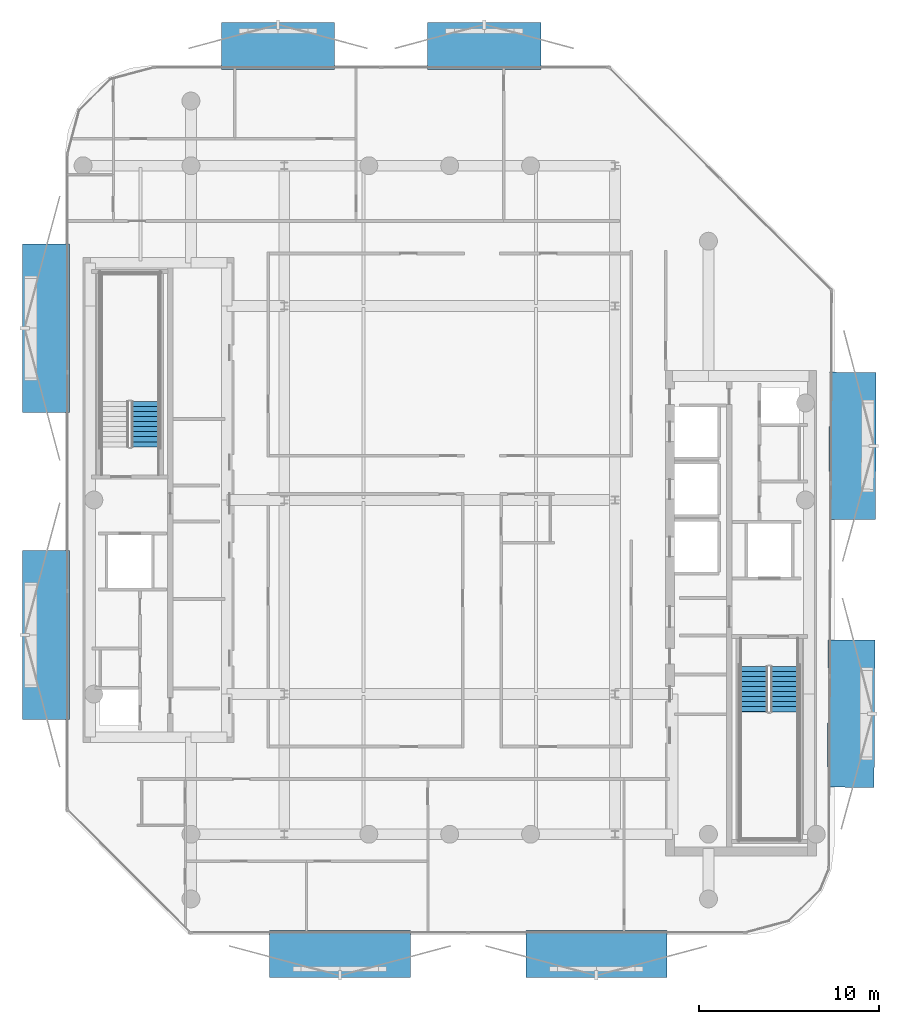
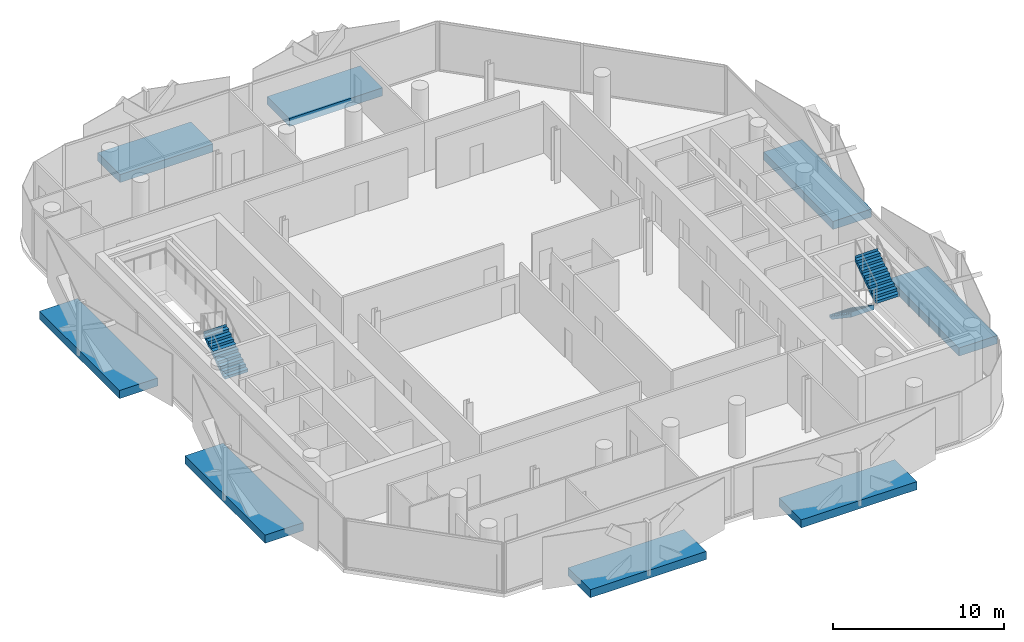
# One storey, part 8 of 16: 8 discrete accessories, 3 stair flights, 2 elements without a shape of their own.
"""IFC4 building model written with IfcOpenShell, lengths in metres."""

from ifc_helpers import new_model, si_unit, direction, frame, origin, origin_2d, place, context, subcontext, project, spatial, polyline, rectangle, outline, extrude, material, layer, layer_set, type_object, element, aggregate, save


model = new_model("IFC4")

# Units and contexts
model_context = context("Model", 3, precision=1e-05, world=origin(), true_north=direction((0.0, 1.0)))
body_context = subcontext(model_context, "Body", "Model", "MODEL_VIEW")
ifc_project = project(units=[si_unit("LENGTHUNIT", "METRE"), si_unit("AREAUNIT", "SQUARE_METRE"), si_unit("VOLUMEUNIT", "CUBIC_METRE"), si_unit("PLANEANGLEUNIT", "RADIAN"), si_unit("MASSUNIT", "GRAM", prefix="KILO")], contexts=[model_context])

# Site, building, storey
site_placement = place(None, origin())
site = spatial("IfcSite", under=ifc_project, at=site_placement, CompositionType="ELEMENT")
building_placement = place(site_placement, origin())
building = spatial("IfcBuilding", under=site, at=building_placement, Name="Khairoan Windgate Tower", CompositionType="ELEMENT")
storey_placement = place(building_placement, frame((0.0, 0.0, 292.800048828125)))
storey = spatial("IfcBuildingStorey", under=building, at=storey_placement, Name="L70", CompositionType="ELEMENT", Elevation=292.800048828125)

# Stair, stair flights
ifc_material_1 = material(Name="Concrete C40/50", Category="concrete")
stair_type = type_object("IfcStairType", Name="Tower Core Dog-Leg Stair ST-T1 1560mm", PredefinedType="HALF_TURN_STAIR", material=ifc_material_1)
stair_1_placement = place(storey_placement, origin())
stair_1 = element("IfcStair", 1, at=stair_1_placement, inside=storey, type_object=stair_type, Name="L70 Stair ST1", PredefinedType="HALF_TURN_STAIR")
ifc_material_2 = material(Name="Concrete C40/50", Category="concrete")
ifc_layer = layer(ifc_material_2, 0.14990234375, Name="Concrete C40/50")
ifc_layer_set = layer_set([ifc_layer], Name="Concrete C40/50")
stair_flight_type = type_object("IfcStairFlightType", Name="Tower Core Stair Flight STF-1560", PredefinedType="STRAIGHT", material=ifc_layer_set)
stair_flight_1_placement = place(storey_placement, frame((16.929931640625, -9.260009765625, 0.0), z_axis=(0.0, 0.0, 1.0), x_axis=(0.0, -1.0, 0.0)))
stair_flight_1 = element("IfcStairFlight", 2, at=stair_flight_1_placement, type_object=stair_flight_type, Name="ST1 flight 1", NumberOfRisers=10, NumberOfTreads=9, PredefinedType="STRAIGHT", RiserHeight=0.19, TreadLength=0.28, context=body_context, shape_type="SweptSolid", body=[
    extrude(outline(polyline([(-0.00390625, 0.0), (-0.00390625, 0.18994140625), (0.0, 0.18994140625), (0.280029296875, 0.18994140625), (0.280029296875, 0.3798828125), (0.56005859375, 0.3798828125), (0.56005859375, 0.570068359375), (0.840087890625, 0.570068359375), (0.840087890625, 0.760009765625), (1.1201171875, 0.760009765625), (1.1201171875, 0.949951171875), (1.39990234375, 0.949951171875), (1.39990234375, 1.139892578125), (1.679931640625, 1.139892578125), (1.679931640625, 1.330078125), (1.9599609375, 1.330078125), (1.9599609375, 1.52001953125), (2.239990234375, 1.52001953125), (2.239990234375, 1.7099609375), (2.52001953125, 1.7099609375), (2.52001953125, 1.89990234375), (2.52392578125, 1.89990234375), (2.52392578125, 1.52880859375), (0.266845703125, 0.0), (-0.00390625, 0.0)])), frame((0.0, 0.780029296875, 0.0), z_axis=(0.0, -1.0, 0.0), x_axis=(1.0, 0.0, 0.0)), (0.0, 0.0, 1.0), 1.56005859375),
])
stair_flight_2_placement = place(storey_placement, frame((18.639892578125, -11.780029296875, 1.89990234375), z_axis=(0.0, 0.0, 1.0), x_axis=(0.0, 1.0, 0.0)))
stair_flight_2 = element("IfcStairFlight", 3, at=stair_flight_2_placement, type_object=stair_flight_type, Name="ST1 flight 2", NumberOfRisers=10, NumberOfTreads=9, PredefinedType="STRAIGHT", RiserHeight=0.19, TreadLength=0.28, context=body_context, shape_type="SweptSolid", body=[
    extrude(outline(polyline([(-0.00390625, 0.0), (-0.00390625, 0.18994140625), (0.0, 0.18994140625), (0.280029296875, 0.18994140625), (0.280029296875, 0.3798828125), (0.56005859375, 0.3798828125), (0.56005859375, 0.570068359375), (0.840087890625, 0.570068359375), (0.840087890625, 0.760009765625), (1.1201171875, 0.760009765625), (1.1201171875, 0.949951171875), (1.39990234375, 0.949951171875), (1.39990234375, 1.139892578125), (1.679931640625, 1.139892578125), (1.679931640625, 1.330078125), (1.9599609375, 1.330078125), (1.9599609375, 1.52001953125), (2.239990234375, 1.52001953125), (2.239990234375, 1.7099609375), (2.52001953125, 1.7099609375), (2.52001953125, 1.89990234375), (2.52392578125, 1.89990234375), (2.52392578125, 1.52880859375), (0.266845703125, 0.0), (-0.00390625, 0.0)])), frame((0.0, 0.780029296875, 0.0), z_axis=(0.0, -1.0, 0.0), x_axis=(1.0, 0.0, 0.0)), (0.0, 0.0, 1.0), 1.56005859375),
])
aggregate(stair_1, [stair_flight_1, stair_flight_2])

# Stair, stair flight
stair_2_placement = place(storey_placement, origin())
stair_2 = element("IfcStair", 4, at=stair_2_placement, inside=storey, type_object=stair_type, Name="L70 Stair ST2", PredefinedType="HALF_TURN_STAIR")
stair_flight_3_placement = place(storey_placement, frame((-16.929931640625, 2.9599609375, 0.0), z_axis=(0.0, 0.0, 1.0), x_axis=(0.0, 1.0, 0.0)))
stair_flight_3 = element("IfcStairFlight", 5, at=stair_flight_3_placement, type_object=stair_flight_type, Name="ST2 flight 1", NumberOfRisers=10, NumberOfTreads=9, PredefinedType="STRAIGHT", RiserHeight=0.19, TreadLength=0.28, context=body_context, shape_type="SweptSolid", body=[
    extrude(outline(polyline([(-0.00390625, 0.0), (-0.00390625, 0.18994140625), (0.0, 0.18994140625), (0.280029296875, 0.18994140625), (0.280029296875, 0.3798828125), (0.56005859375, 0.3798828125), (0.56005859375, 0.570068359375), (0.840087890625, 0.570068359375), (0.840087890625, 0.760009765625), (1.1201171875, 0.760009765625), (1.1201171875, 0.949951171875), (1.39990234375, 0.949951171875), (1.39990234375, 1.139892578125), (1.679931640625, 1.139892578125), (1.679931640625, 1.330078125), (1.9599609375, 1.330078125), (1.9599609375, 1.52001953125), (2.239990234375, 1.52001953125), (2.239990234375, 1.7099609375), (2.52001953125, 1.7099609375), (2.52001953125, 1.89990234375), (2.52392578125, 1.89990234375), (2.52392578125, 1.52880859375), (0.266845703125, 0.0), (-0.00390625, 0.0)])), frame((0.0, 0.780029296875, 0.0), z_axis=(0.0, -1.0, 0.0), x_axis=(1.0, 0.0, 0.0)), (0.0, 0.0, 1.0), 1.56005859375),
])
aggregate(stair_2, [stair_flight_3])

# Discrete accessories
ifc_material_3 = material(Name="Steel S355", Category="steel")
discrete_accessory_type = type_object("IfcDiscreteAccessoryType", Name="Solar Screen Outrigger Slab Bracket SSB-1", PredefinedType="BRACKET", material=ifc_material_3)
for number, where, z_axis, x_axis, name in (
    (6, (8.15771484375, -25.260009765625, -0.420166015625), (0.0, 0.0, 1.0), (-1.0, 0.0, 0.0), "L70 Solar Screen Outrigger Bracket 486"),
    (7, (-6.10888671875, -25.260009765625, -0.420166015625), (0.0, 0.0, 1.0), (-1.0, 0.0, 0.0), "L70 Solar Screen Outrigger Bracket 487"),
):
    element("IfcDiscreteAccessory", number, at=place(storey_placement, frame(where, z_axis=z_axis, x_axis=x_axis)), inside=storey, type_object=discrete_accessory_type, Name=name, PredefinedType="BRACKET", context=body_context, shape_type="SweptSolid", body=[
        extrude(rectangle(XDim=7.846923828125, YDim=2.60009765625, at=origin_2d()), origin(), (0.0, 0.0, 1.0), 0.580078125),
    ])
for number, where, z_axis, x_axis, name in (
    (8, (-22.4599609375, -7.5087890625, -0.420166015625), (0.0, 0.0, 1.0), (0.0, 1.0, 0.0), "L70 Solar Screen Outrigger Bracket 488"),
    (9, (-22.4599609375, 9.5576171875, -0.420166015625), (0.0, 0.0, 1.0), (0.0, 1.0, 0.0), "L70 Solar Screen Outrigger Bracket 489"),
):
    element("IfcDiscreteAccessory", number, at=place(storey_placement, frame(where, z_axis=z_axis, x_axis=x_axis)), inside=storey, type_object=discrete_accessory_type, Name=name, PredefinedType="BRACKET", context=body_context, shape_type="SweptSolid", body=[
        extrude(rectangle(XDim=9.386962890625, YDim=2.60009765625, at=origin_2d()), origin(), (0.0, 0.0, 1.0), 0.580078125),
    ])
for number, where, z_axis, x_axis, name in (
    (10, (-9.552490234375, 25.260009765625, -0.420166015625), (0.0, 0.0, 1.0), (1.0, 0.0, 0.0), "L70 Solar Screen Outrigger Bracket 490"),
    (11, (1.923828125, 25.260009765625, -0.420166015625), (0.0, 0.0, 1.0), (1.0, 0.0, 0.0), "L70 Solar Screen Outrigger Bracket 491"),
):
    element("IfcDiscreteAccessory", number, at=place(storey_placement, frame(where, z_axis=z_axis, x_axis=x_axis)), inside=storey, type_object=discrete_accessory_type, Name=name, PredefinedType="BRACKET", context=body_context, shape_type="SweptSolid", body=[
        extrude(rectangle(XDim=6.31201171875, YDim=2.60009765625, at=origin_2d()), origin(), (0.0, 0.0, 1.0), 0.580078125),
    ])
for number, where, z_axis, x_axis, name in (
    (12, (22.416015625, 3.007568359375, -0.420166015625), (0.0, 0.0, 1.0), (-0.00506143322, -0.999987190865, 0.0), "L70 Solar Screen Outrigger Bracket 492"),
    (13, (22.340576171875, -11.889404296875, -0.420166015625), (0.0, 0.0, 1.0), (-0.00506143322, -0.999987190865, 0.0), "L70 Solar Screen Outrigger Bracket 493"),
):
    element("IfcDiscreteAccessory", number, at=place(storey_placement, frame(where, z_axis=z_axis, x_axis=x_axis)), inside=storey, type_object=discrete_accessory_type, Name=name, PredefinedType="BRACKET", context=body_context, shape_type="SweptSolid", body=[
        extrude(rectangle(XDim=8.193115234375, YDim=2.60009765625, at=origin_2d()), origin(), (0.0, 0.0, 1.0), 0.580078125),
    ])

save(model, "model.ifc")
